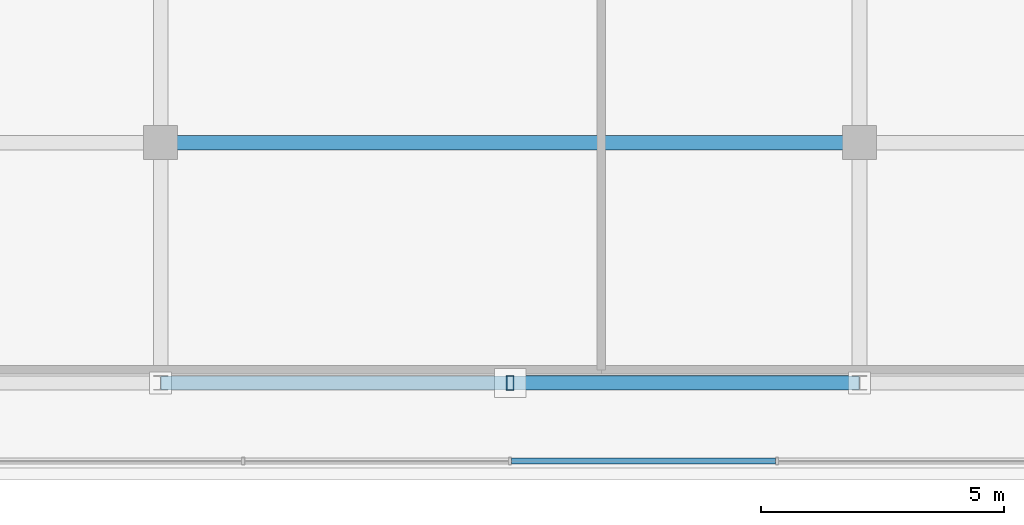
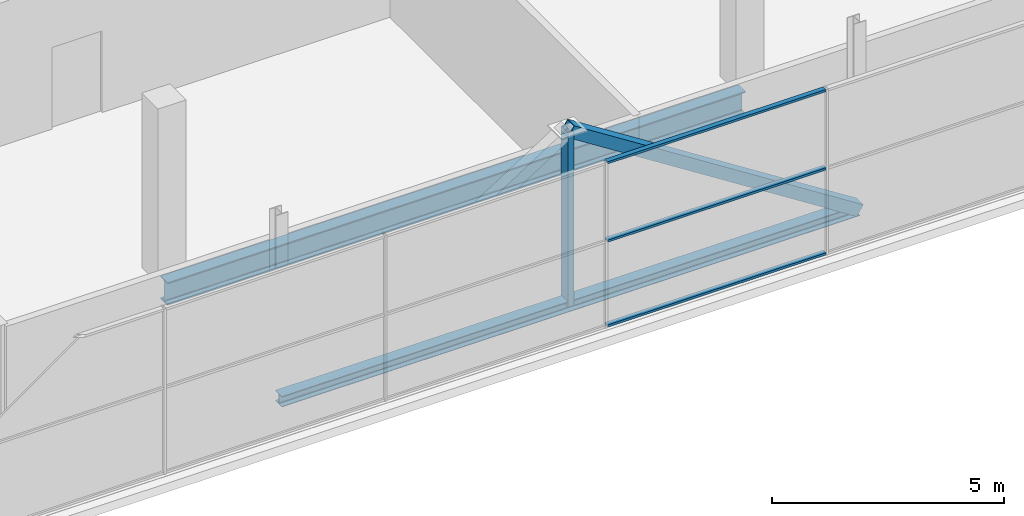
# One storey, part 8 of 26: 5 members, 2 beams, 1 element without a shape of its own.
"""IFC4 building model written with IfcOpenShell, lengths in metres."""

from ifc_helpers import new_model, si_unit, direction, frame, origin, origin_2d, place, context, subcontext, project, spatial, hollow_rectangle, i_section, extrude, source, transform, mapped, material, layer, layer_set, material_profile, profile_set, type_object, element, aggregate, save


model = new_model("IFC4")

# Units and contexts
model_context = context("Model", 3, precision=1e-05, world=origin(), true_north=direction((0.0, 1.0)))
body_context = subcontext(model_context, "Body", "Model", "MODEL_VIEW")
ifc_project = project(units=[si_unit("LENGTHUNIT", "METRE"), si_unit("AREAUNIT", "SQUARE_METRE"), si_unit("VOLUMEUNIT", "CUBIC_METRE"), si_unit("PLANEANGLEUNIT", "RADIAN"), si_unit("MASSUNIT", "GRAM", prefix="KILO")], contexts=[model_context])

# Site, building, storey
site_placement = place(None, origin())
site = spatial("IfcSite", under=ifc_project, at=site_placement, CompositionType="ELEMENT")
building_placement = place(site_placement, origin())
building = spatial("IfcBuilding", under=site, at=building_placement, Name="Zarnakvel Exchange Tower", CompositionType="ELEMENT")
storey_placement = place(building_placement, frame((0.0, 0.0, 280.800048828125)))
storey = spatial("IfcBuildingStorey", under=building, at=storey_placement, Name="Crown L79", CompositionType="ELEMENT", Elevation=280.800048828125)

# Beams
ifc_material_1 = material(Name="Steel S355", Category="steel")
ifc_material_profile_1 = material_profile(ifc_material_1, i_section(OverallWidth=0.300048828125, OverallDepth=0.60009765625, WebThickness=0.015380859375, FlangeThickness=0.030029296875, FilletRadius=0.027099609375, at=origin_2d()))
ifc_profile_set_1 = profile_set([ifc_material_profile_1], Name="Steel S355")
beam_type_1 = type_object("IfcBeamType", Name="G-04", PredefinedType="BEAM", material=ifc_profile_set_1)
beam_1_placement = place(storey_placement, frame((-7.199951171875, -9.60009765625, -0.52001953125), z_axis=(1.0, 0.0, 0.0), x_axis=(0.0, 1.0, 0.0)))
element("IfcBeam", 1, at=beam_1_placement, inside=storey, type_object=beam_type_1, Name="Crown L79 Tower E-W Frame Beam", PredefinedType="BEAM", context=body_context, shape_type="SweptSolid", body=[
    extrude(i_section(OverallWidth=0.300048828125, OverallDepth=0.60009765625, WebThickness=0.015380859375, FlangeThickness=0.030029296875, FilletRadius=0.027099609375, at=origin_2d()), origin(), (0.0, 0.0, 1.0), 14.39990234375),
])
ifc_material_profile_2 = material_profile(ifc_material_1, i_section(OverallWidth=0.280029296875, OverallDepth=0.280029296875, WebThickness=0.010498046875, FlangeThickness=0.01806640625, FilletRadius=0.02392578125, at=origin_2d()))
ifc_profile_set_2 = profile_set([ifc_material_profile_2], Name="Steel S355")
beam_type_2 = type_object("IfcBeamType", Name="SP-04", PredefinedType="SPANDREL", material=ifc_profile_set_2)
beam_2_placement = place(storey_placement, frame((-7.199951171875, -14.550048828125, -0.360107421875), z_axis=(1.0, 0.0, 0.0), x_axis=(0.0, 1.0, 0.0)))
element("IfcBeam", 2, at=beam_2_placement, inside=storey, type_object=beam_type_2, Name="Crown L79 Tower E-W Frame Beam", PredefinedType="SPANDREL", context=body_context, shape_type="SweptSolid", body=[
    extrude(i_section(OverallWidth=0.280029296875, OverallDepth=0.280029296875, WebThickness=0.010498046875, FlangeThickness=0.01806640625, FilletRadius=0.02392578125, at=origin_2d()), origin(), (0.0, 0.0, 1.0), 14.39990234375),
])

# Members
ifc_material_profile_3 = material_profile(ifc_material_1, hollow_rectangle(XDim=0.300048828125, YDim=0.300048828125, WallThickness=0.01611328125, at=origin_2d()))
ifc_profile_set_3 = profile_set([ifc_material_profile_3], Name="Steel S355")
member_type_1 = type_object("IfcMemberType", Name="CB-BR2", PredefinedType="BRACE", material=ifc_profile_set_3)
shared_shape_1 = source(origin(), body_context, "Body", "SweptSolid", [
    extrude(hollow_rectangle(XDim=0.300048828125, YDim=0.300048828125, WallThickness=0.01611328125, at=origin_2d()), origin(), (0.0, 0.0, 1.0), 8.5439453125),
])
member_1_placement = place(storey_placement, frame((7.199951171875, -14.550048828125, -0.360107421875), z_axis=(-0.842689417531, 0.0, 0.53839998661), x_axis=(0.0, -1.0, 0.0)))
element("IfcMember", 3, at=member_1_placement, inside=storey, type_object=member_type_1, Name="Crown L79 Crown Chevron Brace R (CB-BR2)", PredefinedType="BRACE", context=body_context, shape_type="MappedRepresentation", body=[
    mapped(shared_shape_1, transform((0.0, 0.0, 0.0), x_axis=(1.0, 0.0, 0.0), y_axis=(0.0, 1.0, 0.0), z_axis=(0.0, 0.0, 1.0), scale=1.0)),
])
ifc_material_profile_4 = material_profile(ifc_material_1, hollow_rectangle(XDim=0.14990234375, YDim=0.300048828125, WallThickness=0.012451171875, at=origin_2d()))
ifc_profile_set_4 = profile_set([ifc_material_profile_4], Name="Steel S355")
member_type_2 = type_object("IfcMemberType", Name="CB-ST2", PredefinedType="STRUT", material=ifc_profile_set_4)
shared_shape_2 = source(origin(), body_context, "Body", "SweptSolid", [
    extrude(hollow_rectangle(XDim=0.14990234375, YDim=0.300048828125, WallThickness=0.012451171875, at=origin_2d()), origin(), (0.0, 0.0, 1.0), 4.60009765625),
])
member_2_placement = place(storey_placement, frame((0.0, -14.550048828125, -0.360107421875), z_axis=(0.0, 0.0, 1.0), x_axis=(1.0, 0.0, 0.0)))
element("IfcMember", 4, at=member_2_placement, inside=storey, type_object=member_type_2, Name="Crown L79 Crown Frame Post (CB-ST2)", PredefinedType="STRUT", context=body_context, shape_type="MappedRepresentation", body=[
    mapped(shared_shape_2, transform((0.0, 0.0, 0.0), x_axis=(1.0, 0.0, 0.0), y_axis=(0.0, 1.0, 0.0), z_axis=(0.0, 0.0, 1.0), scale=1.0)),
])

# Curtain wall, members
ifc_material_2 = material(Name="Architectural Bronze Anodised Aluminium", Category="aluminium")
ifc_layer = layer(ifc_material_2, 0.14990234375)
ifc_layer_set = layer_set([ifc_layer], Name="Architectural Bronze Anodised Aluminium")
curtain_wall_type = type_object("IfcCurtainWallType", Name="CW-07", PredefinedType="NOTDEFINED", material=ifc_layer_set)
curtain_wall_placement = place(storey_placement, origin())
curtain_wall = element("IfcCurtainWall", 5, at=curtain_wall_placement, inside=storey, type_object=curtain_wall_type, Name="Crown L79 Curtain Wall CW-Crown L79-S (CW-07)", PredefinedType="NOTDEFINED")
ifc_material_profile_5 = material_profile(ifc_material_2, hollow_rectangle(XDim=0.1201171875, YDim=0.06005859375, WallThickness=0.00390625, at=origin_2d()))
ifc_profile_set_5 = profile_set([ifc_material_profile_5], Name="Architectural Bronze Anodised Aluminium")
member_type_3 = type_object("IfcMemberType", Name="CWT-07", PredefinedType="USERDEFINED", material=ifc_profile_set_5)
shared_shape_3 = source(origin(), body_context, "Body", "SweptSolid", [
    extrude(hollow_rectangle(XDim=0.1201171875, YDim=0.06005859375, WallThickness=0.00390625, at=origin_2d()), origin(), (0.0, 0.0, 1.0), 5.43994140625),
])
member_3_placement = place(storey_placement, frame((0.030029296875, -16.159912109375, 0.030029296875), z_axis=(1.0, 0.0, 0.0), x_axis=(0.0, 1.0, 0.0)))
member_3 = element("IfcMember", 6, at=member_3_placement, type_object=member_type_3, Name="CW-07 transom 4.1", ObjectType="TRANSOM", PredefinedType="USERDEFINED", context=body_context, shape_type="MappedRepresentation", body=[
    mapped(shared_shape_3, transform((0.0, 0.0, 0.0), x_axis=(1.0, 0.0, 0.0), y_axis=(0.0, 1.0, 0.0), z_axis=(0.0, 0.0, 1.0), scale=1.0)),
])
member_4_placement = place(storey_placement, frame((0.030029296875, -16.159912109375, 2.26708984375), z_axis=(1.0, 0.0, 0.0), x_axis=(0.0, 1.0, 0.0)))
member_4 = element("IfcMember", 7, at=member_4_placement, type_object=member_type_3, Name="CW-07 transom 4.2", ObjectType="TRANSOM", PredefinedType="USERDEFINED", context=body_context, shape_type="MappedRepresentation", body=[
    mapped(shared_shape_3, transform((0.0, 0.0, 0.0), x_axis=(1.0, 0.0, 0.0), y_axis=(0.0, 1.0, 0.0), z_axis=(0.0, 0.0, 1.0), scale=1.0)),
])
member_5_placement = place(storey_placement, frame((0.030029296875, -16.159912109375, 4.329833984375), z_axis=(1.0, 0.0, 0.0), x_axis=(0.0, 1.0, 0.0)))
member_5 = element("IfcMember", 8, at=member_5_placement, type_object=member_type_3, Name="CW-07 transom 4.3", ObjectType="TRANSOM", PredefinedType="USERDEFINED", context=body_context, shape_type="MappedRepresentation", body=[
    mapped(shared_shape_3, transform((0.0, 0.0, 0.0), x_axis=(1.0, 0.0, 0.0), y_axis=(0.0, 1.0, 0.0), z_axis=(0.0, 0.0, 1.0), scale=1.0)),
])
aggregate(curtain_wall, [member_3, member_4, member_5])

save(model, "model.ifc")
